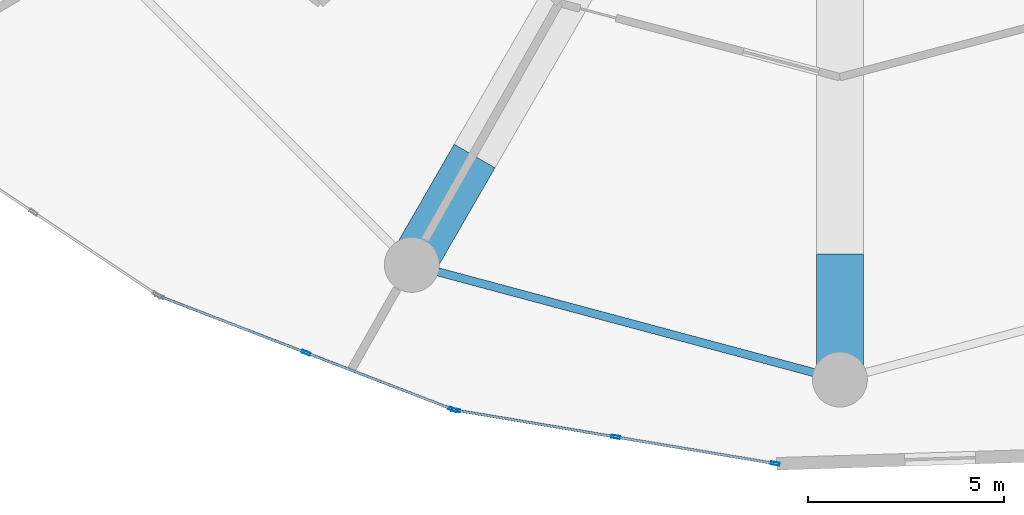
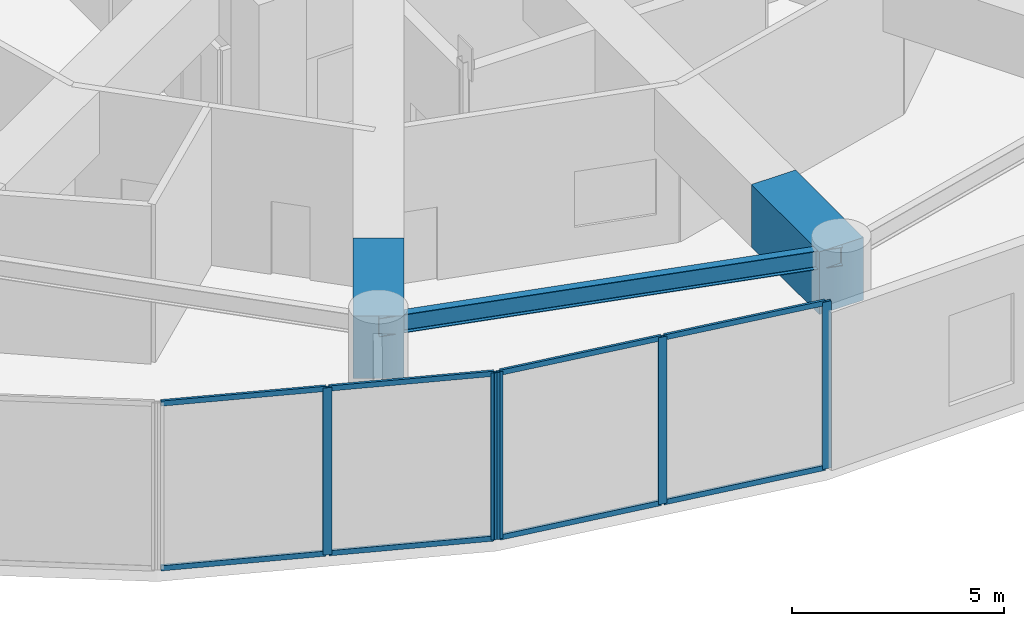
# One storey, part 5 of 27: 13 members, 3 beams, 2 elements without a shape of their own.
"""IFC4 building model written with IfcOpenShell, lengths in metres."""

from ifc_helpers import new_model, si_unit, direction, frame, origin, origin_2d, place, context, subcontext, project, spatial, rectangle, hollow_rectangle, i_section, extrude, source, transform, mapped, material, layer, layer_set, material_profile, profile_set, type_object, element, aggregate, save


model = new_model("IFC4")

# Units and contexts
model_context = context("Model", 3, precision=1e-05, world=origin(), true_north=direction((0.0, 1.0)))
body_context = subcontext(model_context, "Body", "Model", "MODEL_VIEW")
ifc_project = project(units=[si_unit("LENGTHUNIT", "METRE"), si_unit("AREAUNIT", "SQUARE_METRE"), si_unit("VOLUMEUNIT", "CUBIC_METRE"), si_unit("PLANEANGLEUNIT", "RADIAN"), si_unit("MASSUNIT", "GRAM", prefix="KILO")], contexts=[model_context])

# Site, building, storey
site_placement = place(None, origin())
site = spatial("IfcSite", under=ifc_project, at=site_placement, CompositionType="ELEMENT")
building_placement = place(site_placement, origin())
building = spatial("IfcBuilding", under=site, at=building_placement, Name="Solvirekh Grand Hotel", CompositionType="ELEMENT")
storey_placement = place(building_placement, frame((0.0, 0.0, 23.60009765625)))
storey = spatial("IfcBuildingStorey", under=building, at=storey_placement, Name="L04", CompositionType="ELEMENT", Elevation=23.60009765625)

# Beams
ifc_material_1 = material(Name="Steel S355", Category="steel")
ifc_material_profile_1 = material_profile(ifc_material_1, i_section(OverallWidth=0.208984375, OverallDepth=0.532958984375, WebThickness=0.010009765625, FlangeThickness=0.014892578125, FilletRadius=0.013916015625, at=origin_2d()), Name="W530X92")
ifc_profile_set_1 = profile_set([ifc_material_profile_1], Name="Steel S355")
beam_type_1 = type_object("IfcBeamType", Name="Spandrel_Ring_W530", PredefinedType="SPANDREL", material=ifc_profile_set_1)
beam_1_placement = place(storey_placement, frame((-10.89990234375, -18.87890625, 4.27294921875), z_axis=(0.965914248703, -0.258862249378, 0.0), x_axis=(0.258862249378, 0.965914248703, 0.0)))
element("IfcBeam", 1, at=beam_1_placement, inside=storey, type_object=beam_type_1, Name="L04 perimeter spandrel beam 9", PredefinedType="SPANDREL", context=body_context, shape_type="SweptSolid", body=[
    extrude(i_section(OverallWidth=0.208984375, OverallDepth=0.532958984375, WebThickness=0.010009765625, FlangeThickness=0.014892578125, FilletRadius=0.013916015625, at=origin_2d()), origin(), (0.0, 0.0, 1.0), 11.284423828125),
])
ifc_material_2 = material(Name="Concrete C60/75", Category="concrete")
ifc_material_profile_2 = material_profile(ifc_material_2, rectangle(XDim=1.199951171875, YDim=1.800048828125, at=origin_2d()), Name="RC GIRDER 1200X1800")
ifc_profile_set_2 = profile_set([ifc_material_profile_2], Name="Concrete C60/75")
beam_type_2 = type_object("IfcBeamType", Name="TransferGirder_RC1800", PredefinedType="USERDEFINED", material=ifc_profile_set_2)
beam_2_placement = place(storey_placement, frame((-9.300048828125, -16.10791015625, 3.639892578125), z_axis=(-0.50000426018, -0.866022944154, 0.0), x_axis=(0.866022944154, -0.50000426018, 0.0)))
element("IfcBeam", 2, at=beam_2_placement, inside=storey, type_object=beam_type_2, Name="L04 outer radial transfer girder 9B", ObjectType="TRANSFER GIRDER", PredefinedType="USERDEFINED", context=body_context, shape_type="SweptSolid", body=[
    extrude(rectangle(XDim=1.199951171875, YDim=1.800048828125, at=origin_2d()), origin(), (0.0, 0.0, 1.0), 3.19970703125),
])
beam_3_placement = place(storey_placement, frame((0.0, -18.60009765625, 3.639892578125), z_axis=(0.0, -1.0, 0.0), x_axis=(1.0, 0.0, 0.0)))
element("IfcBeam", 3, at=beam_3_placement, inside=storey, type_object=beam_type_2, Name="L04 outer radial transfer girder 10B", ObjectType="TRANSFER GIRDER", PredefinedType="USERDEFINED", context=body_context, shape_type="SweptSolid", body=[
    extrude(rectangle(XDim=1.199951171875, YDim=1.800048828125, at=origin_2d()), origin(), (0.0, 0.0, 1.0), 3.199951171875),
])

# Curtain wall, members
ifc_material_3 = material(Name="Anodized Bronze Aluminium 6063-T6", Category="aluminium")
ifc_layer = layer(ifc_material_3, 0.219970703125)
ifc_layer_set = layer_set([ifc_layer], Name="Anodized Bronze Aluminium 6063-T6")
curtain_wall_type = type_object("IfcCurtainWallType", Name="CW_Sys1_PodiumBronzeUnitised", PredefinedType="NOTDEFINED", material=ifc_layer_set)
curtain_wall_1_placement = place(storey_placement, origin())
curtain_wall_1 = element("IfcCurtainWall", 4, at=curtain_wall_1_placement, inside=storey, type_object=curtain_wall_type, Name="L04 unitised bronze-glass curtain wall CW-L04-C17", PredefinedType="NOTDEFINED")
ifc_material_profile_3 = material_profile(ifc_material_3, hollow_rectangle(XDim=0.06494140625, YDim=0.14990234375, WallThickness=0.0048828125, at=origin_2d()), Name="ALU RHS 150X65X5")
ifc_profile_set_3 = profile_set([ifc_material_profile_3], Name="Anodized Bronze Aluminium 6063-T6")
member_type_1 = type_object("IfcMemberType", Name="CWTransom_Sys1", PredefinedType="USERDEFINED", material=ifc_profile_set_3)
shared_shape_1 = source(origin(), body_context, "Body", "SweptSolid", [
    extrude(hollow_rectangle(XDim=0.06494140625, YDim=0.14990234375, WallThickness=0.0048828125, at=origin_2d()), origin(), (0.0, 0.0, 1.0), 3.928466796875),
])
member_1_placement = place(storey_placement, frame((-17.2861328125, -19.693115234375, 0.032470703125), z_axis=(0.932946202148, -0.360015810621, 0.0), x_axis=(0.360015810621, 0.932946202148, 0.0)))
member_1 = element("IfcMember", 5, at=member_1_placement, type_object=member_type_1, Name="U01 transom 1.1", ObjectType="TRANSOM", PredefinedType="USERDEFINED", context=body_context, shape_type="MappedRepresentation", body=[
    mapped(shared_shape_1, transform((0.0, 0.0, 0.0), x_axis=(1.0, 0.0, 0.0), y_axis=(0.0, 1.0, 0.0), z_axis=(0.0, 0.0, 1.0), scale=1.0)),
])
member_2_placement = place(storey_placement, frame((-17.2861328125, -19.693115234375, 4.767333984375), z_axis=(0.932946202148, -0.360015810621, 0.0), x_axis=(0.360015810621, 0.932946202148, 0.0)))
member_2 = element("IfcMember", 6, at=member_2_placement, type_object=member_type_1, Name="U01 transom 1.2", ObjectType="TRANSOM", PredefinedType="USERDEFINED", context=body_context, shape_type="MappedRepresentation", body=[
    mapped(shared_shape_1, transform((0.0, 0.0, 0.0), x_axis=(1.0, 0.0, 0.0), y_axis=(0.0, 1.0, 0.0), z_axis=(0.0, 0.0, 1.0), scale=1.0)),
])
member_3_placement = place(storey_placement, frame((-13.551025390625, -21.134521484375, 0.032470703125), z_axis=(0.932925327502, -0.360069900583, 0.0), x_axis=(0.360069900583, 0.932925327502, 0.0)))
member_3 = element("IfcMember", 7, at=member_3_placement, type_object=member_type_1, Name="U01 transom 2.1", ObjectType="TRANSOM", PredefinedType="USERDEFINED", context=body_context, shape_type="MappedRepresentation", body=[
    mapped(shared_shape_1, transform((0.0, 0.0, 0.0), x_axis=(1.0, 0.0, 0.0), y_axis=(0.0, 1.0, 0.0), z_axis=(0.0, 0.0, 1.0), scale=1.0)),
])
member_4_placement = place(storey_placement, frame((-13.551025390625, -21.134521484375, 4.767333984375), z_axis=(0.932925327502, -0.360069900583, 0.0), x_axis=(0.360069900583, 0.932925327502, 0.0)))
member_4 = element("IfcMember", 8, at=member_4_placement, type_object=member_type_1, Name="U01 transom 2.2", ObjectType="TRANSOM", PredefinedType="USERDEFINED", context=body_context, shape_type="MappedRepresentation", body=[
    mapped(shared_shape_1, transform((0.0, 0.0, 0.0), x_axis=(1.0, 0.0, 0.0), y_axis=(0.0, 1.0, 0.0), z_axis=(0.0, 0.0, 1.0), scale=1.0)),
])

curtain_wall_2_placement = place(storey_placement, origin())
curtain_wall_2 = element("IfcCurtainWall", 9, at=curtain_wall_2_placement, inside=storey, type_object=curtain_wall_type, Name="L04 unitised bronze-glass curtain wall CW-L04-C18", PredefinedType="NOTDEFINED")
shared_shape_2 = source(origin(), body_context, "Body", "SweptSolid", [
    extrude(hollow_rectangle(XDim=0.06494140625, YDim=0.14990234375, WallThickness=0.0048828125, at=origin_2d()), origin(), (0.0, 0.0, 1.0), 4.048583984375),
])
member_5_placement = place(storey_placement, frame((-9.741943359375, -22.58837890625, 0.032470703125), z_axis=(0.986356413293, -0.164623892419, 0.0), x_axis=(0.164623892419, 0.986356413293, 0.0)))
member_5 = element("IfcMember", 10, at=member_5_placement, type_object=member_type_1, Name="U01 transom 1.1", ObjectType="TRANSOM", PredefinedType="USERDEFINED", context=body_context, shape_type="MappedRepresentation", body=[
    mapped(shared_shape_2, transform((0.0, 0.0, 0.0), x_axis=(1.0, 0.0, 0.0), y_axis=(0.0, 1.0, 0.0), z_axis=(0.0, 0.0, 1.0), scale=1.0)),
])
member_6_placement = place(storey_placement, frame((-9.741943359375, -22.58837890625, 4.767333984375), z_axis=(0.986356413293, -0.164623892419, 0.0), x_axis=(0.164623892419, 0.986356413293, 0.0)))
member_6 = element("IfcMember", 11, at=member_6_placement, type_object=member_type_1, Name="U01 transom 1.2", ObjectType="TRANSOM", PredefinedType="USERDEFINED", context=body_context, shape_type="MappedRepresentation", body=[
    mapped(shared_shape_2, transform((0.0, 0.0, 0.0), x_axis=(1.0, 0.0, 0.0), y_axis=(0.0, 1.0, 0.0), z_axis=(0.0, 0.0, 1.0), scale=1.0)),
])
shared_shape_3 = source(origin(), body_context, "Body", "SweptSolid", [
    extrude(hollow_rectangle(XDim=0.06494140625, YDim=0.14990234375, WallThickness=0.0048828125, at=origin_2d()), origin(), (0.0, 0.0, 1.0), 4.048828125),
])
member_7_placement = place(storey_placement, frame((-5.674560546875, -23.26708984375, 0.032470703125), z_axis=(0.986358047388, -0.164614101319, 0.0), x_axis=(0.164614101319, 0.986358047388, 0.0)))
member_7 = element("IfcMember", 12, at=member_7_placement, type_object=member_type_1, Name="U01 transom 2.1", ObjectType="TRANSOM", PredefinedType="USERDEFINED", context=body_context, shape_type="MappedRepresentation", body=[
    mapped(shared_shape_3, transform((0.0, 0.0, 0.0), x_axis=(1.0, 0.0, 0.0), y_axis=(0.0, 1.0, 0.0), z_axis=(0.0, 0.0, 1.0), scale=1.0)),
])
member_8_placement = place(storey_placement, frame((-5.674560546875, -23.26708984375, 4.767333984375), z_axis=(0.986358047388, -0.164614101319, 0.0), x_axis=(0.164614101319, 0.986358047388, 0.0)))
member_8 = element("IfcMember", 13, at=member_8_placement, type_object=member_type_1, Name="U01 transom 2.2", ObjectType="TRANSOM", PredefinedType="USERDEFINED", context=body_context, shape_type="MappedRepresentation", body=[
    mapped(shared_shape_3, transform((0.0, 0.0, 0.0), x_axis=(1.0, 0.0, 0.0), y_axis=(0.0, 1.0, 0.0), z_axis=(0.0, 0.0, 1.0), scale=1.0)),
])

# Member
ifc_material_profile_4 = material_profile(ifc_material_3, hollow_rectangle(XDim=0.074951171875, YDim=0.219970703125, WallThickness=0.006103515625, at=origin_2d()), Name="ALU RHS 220X75X6")
ifc_profile_set_4 = profile_set([ifc_material_profile_4], Name="Anodized Bronze Aluminium 6063-T6")
member_type_2 = type_object("IfcMemberType", Name="CWMullion_Sys1", PredefinedType="MULLION", material=ifc_profile_set_4)
shared_shape_4 = source(origin(), body_context, "Body", "SweptSolid", [
    extrude(hollow_rectangle(XDim=0.074951171875, YDim=0.219970703125, WallThickness=0.006103515625, at=origin_2d()), origin(), (0.0, 0.0, 1.0), 4.7998046875),
])
member_9_placement = place(storey_placement, frame((-13.5859375, -21.12109375, 0.0), z_axis=(0.0, 0.0, 1.0), x_axis=(0.360056701252, 0.93293042178, 0.0)))
member_9 = element("IfcMember", 14, at=member_9_placement, type_object=member_type_2, Name="U01 mullion 2", PredefinedType="MULLION", context=body_context, shape_type="MappedRepresentation", body=[
    mapped(shared_shape_4, transform((0.0, 0.0, 0.0), x_axis=(1.0, 0.0, 0.0), y_axis=(0.0, 1.0, 0.0), z_axis=(0.0, 0.0, 1.0), scale=1.0)),
])

member_10_placement = place(storey_placement, frame((-9.85107421875, -22.5625, 0.0), z_axis=(0.0, 0.0, 1.0), x_axis=(0.360056701252, 0.93293042178, 0.0)))
member_10 = element("IfcMember", 15, at=member_10_placement, type_object=member_type_2, Name="U01 mullion 3", PredefinedType="MULLION", context=body_context, shape_type="MappedRepresentation", body=[
    mapped(shared_shape_4, transform((0.0, 0.0, 0.0), x_axis=(1.0, 0.0, 0.0), y_axis=(0.0, 1.0, 0.0), z_axis=(0.0, 0.0, 1.0), scale=1.0)),
])

aggregate(curtain_wall_1, [member_9, member_10, member_1, member_2, member_3, member_4])

member_11_placement = place(storey_placement, frame((-9.779052734375, -22.582275390625, 0.0), z_axis=(0.0, 0.0, 1.0), x_axis=(0.16461331522, 0.98635817858, 0.0)))
member_11 = element("IfcMember", 16, at=member_11_placement, type_object=member_type_2, Name="U01 mullion 1", PredefinedType="MULLION", context=body_context, shape_type="MappedRepresentation", body=[
    mapped(shared_shape_4, transform((0.0, 0.0, 0.0), x_axis=(1.0, 0.0, 0.0), y_axis=(0.0, 1.0, 0.0), z_axis=(0.0, 0.0, 1.0), scale=1.0)),
])

member_12_placement = place(storey_placement, frame((-5.71142578125, -23.260986328125, 0.0), z_axis=(0.0, 0.0, 1.0), x_axis=(0.16461331522, 0.98635817858, 0.0)))
member_12 = element("IfcMember", 17, at=member_12_placement, type_object=member_type_2, Name="U01 mullion 2", PredefinedType="MULLION", context=body_context, shape_type="MappedRepresentation", body=[
    mapped(shared_shape_4, transform((0.0, 0.0, 0.0), x_axis=(1.0, 0.0, 0.0), y_axis=(0.0, 1.0, 0.0), z_axis=(0.0, 0.0, 1.0), scale=1.0)),
])

member_13_placement = place(storey_placement, frame((-1.64404296875, -23.93994140625, 0.0), z_axis=(0.0, 0.0, 1.0), x_axis=(0.16461331522, 0.98635817858, 0.0)))
member_13 = element("IfcMember", 18, at=member_13_placement, type_object=member_type_2, Name="U01 mullion 3", PredefinedType="MULLION", context=body_context, shape_type="MappedRepresentation", body=[
    mapped(shared_shape_4, transform((0.0, 0.0, 0.0), x_axis=(1.0, 0.0, 0.0), y_axis=(0.0, 1.0, 0.0), z_axis=(0.0, 0.0, 1.0), scale=1.0)),
])

aggregate(curtain_wall_2, [member_11, member_12, member_13, member_5, member_6, member_7, member_8])

save(model, "model.ifc")
